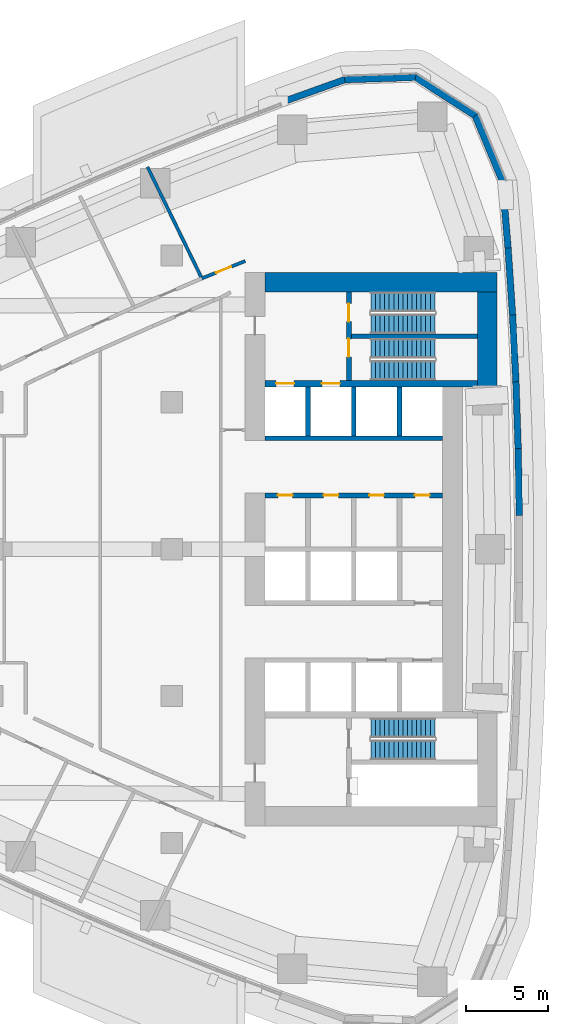
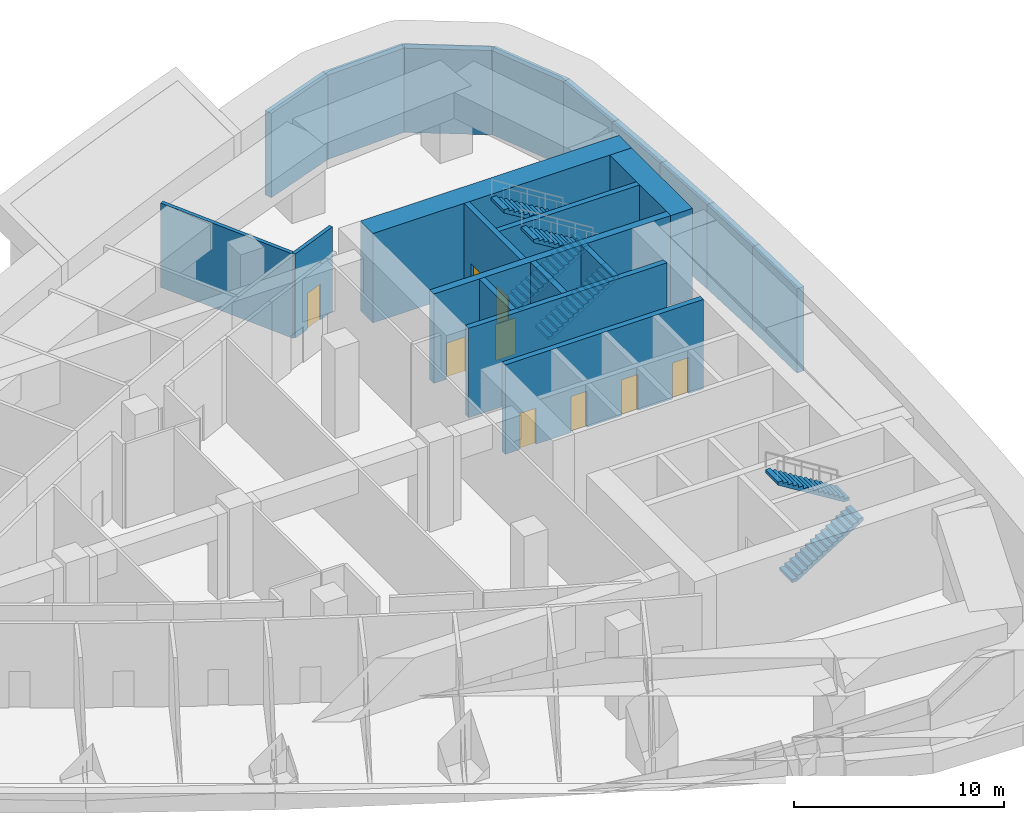
# One storey, part 12 of 17: 21 walls, 9 doors, 6 stair flights, 9 openings, 3 elements without a shape of their own.
"""IFC4 building model written with IfcOpenShell, lengths in metres."""

from ifc_helpers import new_model, si_unit, direction, frame, frame_2d, origin, place, context, subcontext, project, spatial, polyline, rectangle, outline, extrude, material, layer, layer_set, type_object, element, fill, aggregate, save


model = new_model("IFC4")

# Units and contexts
model_context = context("Model", 3, precision=1e-05, world=origin(), true_north=direction((0.0, 1.0)))
body_context = subcontext(model_context, "Body", "Model", "MODEL_VIEW")
ifc_project = project(units=[si_unit("LENGTHUNIT", "METRE"), si_unit("AREAUNIT", "SQUARE_METRE"), si_unit("VOLUMEUNIT", "CUBIC_METRE"), si_unit("PLANEANGLEUNIT", "RADIAN"), si_unit("MASSUNIT", "GRAM", prefix="KILO")], contexts=[model_context])

# Site, building, storey
site_placement = place(None, origin())
site = spatial("IfcSite", under=ifc_project, at=site_placement, CompositionType="ELEMENT")
building_placement = place(site_placement, origin())
building = spatial("IfcBuilding", under=site, at=building_placement, Name="Ostrand Prow Hotel Tower", CompositionType="ELEMENT")
storey_placement = place(building_placement, frame((0.0, 0.0, 75.10009765625)))
storey = spatial("IfcBuildingStorey", under=building, at=storey_placement, Name="L17", CompositionType="ELEMENT", Elevation=75.10009765625)

# Walls
ifc_material_1 = material(Name="Concrete C80/95", Category="concrete")
ifc_layer_1 = layer(ifc_material_1, 1.199951171875)
ifc_layer_set_1 = layer_set([ifc_layer_1], Name="Concrete C80/95")
wall_type_1 = type_object("IfcWallType", Name="Core wall 1200 C80/95", PredefinedType="SHEAR", material=ifc_layer_set_1)
wall_1_placement = place(storey_placement, frame((50.699951171875, 16.35009765625, 0.0), z_axis=(0.0, 0.0, 1.0), x_axis=(1.0, 0.0, 0.0)))
element("IfcWall", 1, at=wall_1_placement, inside=storey, type_object=wall_type_1, Name="Core wall CW-N", PredefinedType="SHEAR", context=body_context, shape_type="SweptSolid", body=[
    extrude(rectangle(XDim=14.219970703125, YDim=1.199951171875, at=frame_2d((7.10986328125, 0.0))), origin(), (0.0, 0.0, 1.0), 5.199951171875),
])
wall_2_placement = place(storey_placement, frame((64.320068359375, 9.949951171875, 0.0), z_axis=(0.0, 0.0, 1.0), x_axis=(0.0, 1.0, 0.0)))
element("IfcWall", 2, at=wall_2_placement, inside=storey, type_object=wall_type_1, Name="Core wall CW-E-N", PredefinedType="SHEAR", context=body_context, shape_type="SweptSolid", body=[
    extrude(rectangle(XDim=5.800048828125, YDim=1.199951171875, at=frame_2d((2.89990234375, 0.0))), origin(), (0.0, 0.0, 1.0), 5.199951171875),
])

# Wall, openings, doors
ifc_material_2 = material(Name="Concrete C80/95", Category="concrete")
ifc_layer_2 = layer(ifc_material_2, 0.300048828125)
ifc_layer_set_2 = layer_set([ifc_layer_2], Name="Concrete C80/95")
wall_type_2 = type_object("IfcWallType", Name="Core wall 300 C80/95", PredefinedType="SHEAR", material=ifc_layer_set_2)
wall_3_placement = place(storey_placement, frame((50.699951171875, 3.300048828125, 0.0), z_axis=(0.0, 0.0, 1.0), x_axis=(1.0, 0.0, 0.0)))
wall_3 = element("IfcWall", 3, at=wall_3_placement, inside=storey, type_object=wall_type_2, Name="Core wall PW-L1-N", PredefinedType="SHEAR", context=body_context, shape_type="SweptSolid", body=[
    extrude(rectangle(XDim=10.900146484375, YDim=0.300048828125, at=frame_2d((5.4501953125, 0.0))), origin(), (0.0, 0.0, 1.0), 5.199951171875),
])
opening_1_placement = place(wall_3_placement, frame((0.800048828125, 0.0, 0.0)))
opening_1 = element("IfcOpeningElement", 4, at=opening_1_placement, cuts=wall_3, Name="Opening FD2", PredefinedType="OPENING", context=body_context, shape_type="SweptSolid", body=[
    extrude(rectangle(XDim=0.89990234375, YDim=2.10009765625, at=frame_2d((0.449951171875, 1.050048828125))), frame((0.0, 0.159912109375, 0.0), z_axis=(0.0, -1.0, 0.0), x_axis=(1.0, 0.0, 0.0)), (0.0, 0.0, 1.0), 0.320068359375),
])
opening_2_placement = place(wall_3_placement, frame((3.60009765625, 0.0, 0.0)))
opening_2 = element("IfcOpeningElement", 5, at=opening_2_placement, cuts=wall_3, Name="Opening FD2", PredefinedType="OPENING", context=body_context, shape_type="SweptSolid", body=[
    extrude(rectangle(XDim=0.89990234375, YDim=2.10009765625, at=frame_2d((0.449951171875, 1.050048828125))), frame((0.0, 0.159912109375, 0.0), z_axis=(0.0, -1.0, 0.0), x_axis=(1.0, 0.0, 0.0)), (0.0, 0.0, 1.0), 0.320068359375),
])
opening_3_placement = place(wall_3_placement, frame((6.39990234375, 0.0, 0.0)))
opening_3 = element("IfcOpeningElement", 6, at=opening_3_placement, cuts=wall_3, Name="Opening FD2", PredefinedType="OPENING", context=body_context, shape_type="SweptSolid", body=[
    extrude(rectangle(XDim=0.89990234375, YDim=2.10009765625, at=frame_2d((0.449951171875, 1.050048828125))), frame((0.0, 0.159912109375, 0.0), z_axis=(0.0, -1.0, 0.0), x_axis=(1.0, 0.0, 0.0)), (0.0, 0.0, 1.0), 0.320068359375),
])
opening_4_placement = place(wall_3_placement, frame((9.199951171875, 0.0, 0.0)))
opening_4 = element("IfcOpeningElement", 7, at=opening_4_placement, cuts=wall_3, Name="Opening FD2", PredefinedType="OPENING", context=body_context, shape_type="SweptSolid", body=[
    extrude(rectangle(XDim=0.89990234375, YDim=2.10009765625, at=frame_2d((0.449951171875, 1.050048828125))), frame((0.0, 0.159912109375, 0.0), z_axis=(0.0, -1.0, 0.0), x_axis=(1.0, 0.0, 0.0)), (0.0, 0.0, 1.0), 0.320068359375),
])
ifc_material_3 = material(Name="Steel fire door", Category="steel")
door_type_1 = type_object("IfcDoorType", Name="Fire door 900 EI120", OperationType="SINGLE_SWING_LEFT", PredefinedType="DOOR", material=ifc_material_3)
door_1_placement = place(opening_1_placement, origin())
door_1 = element("IfcDoor", 8, at=door_1_placement, inside=storey, type_object=door_type_1, Name="DOOR", OperationType="SINGLE_SWING_LEFT", OverallHeight=2.10009765625, OverallWidth=0.89990234375, PredefinedType="DOOR", context=body_context, shape_type="SweptSolid", body=[
    extrude(rectangle(XDim=0.89990234375, YDim=2.10009765625, at=frame_2d((0.449951171875, 1.050048828125))), frame((0.0, 0.02490234375, 0.0), z_axis=(0.0, -1.0, 0.0), x_axis=(1.0, 0.0, 0.0)), (0.0, 0.0, 1.0), 0.050048828125),
])
fill(opening_1, door_1)
door_2_placement = place(opening_2_placement, origin())
door_2 = element("IfcDoor", 9, at=door_2_placement, inside=storey, type_object=door_type_1, Name="DOOR", OperationType="SINGLE_SWING_LEFT", OverallHeight=2.10009765625, OverallWidth=0.89990234375, PredefinedType="DOOR", context=body_context, shape_type="SweptSolid", body=[
    extrude(rectangle(XDim=0.89990234375, YDim=2.10009765625, at=frame_2d((0.449951171875, 1.050048828125))), frame((0.0, 0.02490234375, 0.0), z_axis=(0.0, -1.0, 0.0), x_axis=(1.0, 0.0, 0.0)), (0.0, 0.0, 1.0), 0.050048828125),
])
fill(opening_2, door_2)
door_3_placement = place(opening_3_placement, origin())
door_3 = element("IfcDoor", 10, at=door_3_placement, inside=storey, type_object=door_type_1, Name="DOOR", OperationType="SINGLE_SWING_LEFT", OverallHeight=2.10009765625, OverallWidth=0.89990234375, PredefinedType="DOOR", context=body_context, shape_type="SweptSolid", body=[
    extrude(rectangle(XDim=0.89990234375, YDim=2.10009765625, at=frame_2d((0.449951171875, 1.050048828125))), frame((0.0, 0.02490234375, 0.0), z_axis=(0.0, -1.0, 0.0), x_axis=(1.0, 0.0, 0.0)), (0.0, 0.0, 1.0), 0.050048828125),
])
fill(opening_3, door_3)
door_4_placement = place(opening_4_placement, origin())
door_4 = element("IfcDoor", 11, at=door_4_placement, inside=storey, type_object=door_type_1, Name="DOOR", OperationType="SINGLE_SWING_LEFT", OverallHeight=2.10009765625, OverallWidth=0.89990234375, PredefinedType="DOOR", context=body_context, shape_type="SweptSolid", body=[
    extrude(rectangle(XDim=0.89990234375, YDim=2.10009765625, at=frame_2d((0.449951171875, 1.050048828125))), frame((0.0, 0.02490234375, 0.0), z_axis=(0.0, -1.0, 0.0), x_axis=(1.0, 0.0, 0.0)), (0.0, 0.0, 1.0), 0.050048828125),
])
fill(opening_4, door_4)

# Walls
wall_4_placement = place(storey_placement, frame((50.699951171875, 6.800048828125, 0.0), z_axis=(0.0, 0.0, 1.0), x_axis=(1.0, 0.0, 0.0)))
element("IfcWall", 12, at=wall_4_placement, inside=storey, type_object=wall_type_2, Name="Core wall PW-L2-N", PredefinedType="SHEAR", context=body_context, shape_type="SweptSolid", body=[
    extrude(rectangle(XDim=10.900146484375, YDim=0.300048828125, at=frame_2d((5.4501953125, 0.0))), origin(), (0.0, 0.0, 1.0), 5.199951171875),
])
for number, where, z_axis, x_axis, name in (
    (13, (53.35009765625, 6.949951171875, 0.0), (0.0, 0.0, 1.0), (0.0, 1.0, 0.0), "Core wall PW-R1-NA"),
    (14, (56.14990234375, 6.949951171875, 0.0), (0.0, 0.0, 1.0), (0.0, 1.0, 0.0), "Core wall PW-R2-NA"),
    (15, (58.949951171875, 6.949951171875, 0.0), (0.0, 0.0, 1.0), (0.0, 1.0, 0.0), "Core wall PW-R3-NA"),
):
    element("IfcWall", number, at=place(storey_placement, frame(where, z_axis=z_axis, x_axis=x_axis)), inside=storey, type_object=wall_type_2, Name=name, PredefinedType="SHEAR", context=body_context, shape_type="SweptSolid", body=[
        extrude(rectangle(XDim=3.0, YDim=0.300048828125, at=frame_2d((1.5, 0.0))), origin(), (0.0, 0.0, 1.0), 5.199951171875),
    ])

# Wall, openings, doors
wall_5_placement = place(storey_placement, frame((55.85009765625, 10.35009765625, 0.0), z_axis=(0.0, 0.0, 1.0), x_axis=(0.0, 1.0, 0.0)))
wall_5 = element("IfcWall", 16, at=wall_5_placement, inside=storey, type_object=wall_type_2, Name="Core wall PW-VN", PredefinedType="SHEAR", context=body_context, shape_type="SweptSolid", body=[
    extrude(rectangle(XDim=5.39990234375, YDim=0.300048828125, at=frame_2d((2.699951171875, 0.0))), origin(), (0.0, 0.0, 1.0), 5.199951171875),
])
opening_5_placement = place(wall_5_placement, frame((1.429931640625, 0.0, 0.0)))
opening_5 = element("IfcOpeningElement", 17, at=opening_5_placement, cuts=wall_5, Name="Opening FD1", PredefinedType="OPENING", context=body_context, shape_type="SweptSolid", body=[
    extrude(rectangle(XDim=1.10009765625, YDim=2.10009765625, at=frame_2d((0.550048828125, 1.050048828125))), frame((0.0, 0.159912109375, 0.0), z_axis=(0.0, -1.0, 0.0), x_axis=(1.0, 0.0, 0.0)), (0.0, 0.0, 1.0), 0.320068359375),
])
opening_6_placement = place(wall_5_placement, frame((3.60009765625, 0.0, 0.0)))
opening_6 = element("IfcOpeningElement", 18, at=opening_6_placement, cuts=wall_5, Name="Opening FD1", PredefinedType="OPENING", context=body_context, shape_type="SweptSolid", body=[
    extrude(rectangle(XDim=1.10009765625, YDim=2.10009765625, at=frame_2d((0.550048828125, 1.050048828125))), frame((0.0, 0.159912109375, 0.0), z_axis=(0.0, -1.0, 0.0), x_axis=(1.0, 0.0, 0.0)), (0.0, 0.0, 1.0), 0.320068359375),
])
ifc_material_4 = material(Name="Steel fire door", Category="steel")
door_type_2 = type_object("IfcDoorType", Name="Fire door 1100 EI120", OperationType="SINGLE_SWING_RIGHT", PredefinedType="DOOR", material=ifc_material_4)
door_5_placement = place(opening_5_placement, origin())
door_5 = element("IfcDoor", 19, at=door_5_placement, inside=storey, type_object=door_type_2, Name="FIRE DOOR", OperationType="SINGLE_SWING_RIGHT", OverallHeight=2.10009765625, OverallWidth=1.10009765625, PredefinedType="DOOR", context=body_context, shape_type="SweptSolid", body=[
    extrude(rectangle(XDim=1.10009765625, YDim=2.10009765625, at=frame_2d((0.550048828125, 1.050048828125))), frame((0.0, 0.02490234375, 0.0), z_axis=(0.0, -1.0, 0.0), x_axis=(1.0, 0.0, 0.0)), (0.0, 0.0, 1.0), 0.050048828125),
])
fill(opening_5, door_5)
door_6_placement = place(opening_6_placement, origin())
door_6 = element("IfcDoor", 20, at=door_6_placement, inside=storey, type_object=door_type_2, Name="FIRE DOOR", OperationType="SINGLE_SWING_RIGHT", OverallHeight=2.10009765625, OverallWidth=1.10009765625, PredefinedType="DOOR", context=body_context, shape_type="SweptSolid", body=[
    extrude(rectangle(XDim=1.10009765625, YDim=2.10009765625, at=frame_2d((0.550048828125, 1.050048828125))), frame((0.0, 0.02490234375, 0.0), z_axis=(0.0, -1.0, 0.0), x_axis=(1.0, 0.0, 0.0)), (0.0, 0.0, 1.0), 0.050048828125),
])
fill(opening_6, door_6)

# Wall
wall_6_placement = place(storey_placement, frame((56.0, 13.050048828125, 0.0), z_axis=(0.0, 0.0, 1.0), x_axis=(1.0, 0.0, 0.0)))
element("IfcWall", 21, at=wall_6_placement, inside=storey, type_object=wall_type_2, Name="Core wall PW-ST13", PredefinedType="SHEAR", context=body_context, shape_type="SweptSolid", body=[
    extrude(rectangle(XDim=7.719970703125, YDim=0.300048828125, at=frame_2d((3.85986328125, 0.0))), origin(), (0.0, 0.0, 1.0), 5.199951171875),
])

# Wall, openings, doors
ifc_material_5 = material(Name="Concrete C80/95", Category="concrete")
ifc_layer_3 = layer(ifc_material_5, 0.39990234375)
ifc_layer_set_3 = layer_set([ifc_layer_3], Name="Concrete C80/95")
wall_type_3 = type_object("IfcWallType", Name="Core wall 400 C80/95", PredefinedType="SHEAR", material=ifc_layer_set_3)
wall_7_placement = place(storey_placement, frame((50.699951171875, 10.14990234375, 0.0), z_axis=(0.0, 0.0, 1.0), x_axis=(1.0, 0.0, 0.0)))
wall_7 = element("IfcWall", 22, at=wall_7_placement, inside=storey, type_object=wall_type_3, Name="Core wall PW-BN", PredefinedType="SHEAR", context=body_context, shape_type="SweptSolid", body=[
    extrude(rectangle(XDim=13.02001953125, YDim=0.39990234375, at=frame_2d((6.510009765625, 0.0))), origin(), (0.0, 0.0, 1.0), 5.199951171875),
])
opening_7_placement = place(wall_7_placement, frame((0.699951171875, 0.0, 0.0)))
opening_7 = element("IfcOpeningElement", 23, at=opening_7_placement, cuts=wall_7, Name="Opening LD", PredefinedType="OPENING", context=body_context, shape_type="SweptSolid", body=[
    extrude(rectangle(XDim=1.10009765625, YDim=2.10009765625, at=frame_2d((0.550048828125, 1.050048828125))), frame((0.0, 0.2099609375, 0.0), z_axis=(0.0, -1.0, 0.0), x_axis=(1.0, 0.0, 0.0)), (0.0, 0.0, 1.0), 0.419921875),
])
opening_8_placement = place(wall_7_placement, frame((3.5, 0.0, 0.0)))
opening_8 = element("IfcOpeningElement", 24, at=opening_8_placement, cuts=wall_7, Name="Opening LD", PredefinedType="OPENING", context=body_context, shape_type="SweptSolid", body=[
    extrude(rectangle(XDim=1.10009765625, YDim=2.10009765625, at=frame_2d((0.550048828125, 1.050048828125))), frame((0.0, 0.2099609375, 0.0), z_axis=(0.0, -1.0, 0.0), x_axis=(1.0, 0.0, 0.0)), (0.0, 0.0, 1.0), 0.419921875),
])
ifc_material_6 = material(Name="Stainless steel door", Category="steel")
door_type_3 = type_object("IfcDoorType", Name="Lift landing door 1100", OperationType="DOUBLE_DOOR_SLIDING", PredefinedType="DOOR", material=ifc_material_6)
door_7_placement = place(opening_7_placement, origin())
door_7 = element("IfcDoor", 25, at=door_7_placement, inside=storey, type_object=door_type_3, Name="LIFT LANDING DOOR", OperationType="DOUBLE_DOOR_SLIDING", OverallHeight=2.10009765625, OverallWidth=1.10009765625, PredefinedType="DOOR", context=body_context, shape_type="SweptSolid", body=[
    extrude(rectangle(XDim=1.10009765625, YDim=2.10009765625, at=frame_2d((0.550048828125, 1.050048828125))), frame((0.0, 0.02490234375, 0.0), z_axis=(0.0, -1.0, 0.0), x_axis=(1.0, 0.0, 0.0)), (0.0, 0.0, 1.0), 0.050048828125),
])
fill(opening_7, door_7)
door_8_placement = place(opening_8_placement, origin())
door_8 = element("IfcDoor", 26, at=door_8_placement, inside=storey, type_object=door_type_3, Name="LIFT LANDING DOOR", OperationType="DOUBLE_DOOR_SLIDING", OverallHeight=2.10009765625, OverallWidth=1.10009765625, PredefinedType="DOOR", context=body_context, shape_type="SweptSolid", body=[
    extrude(rectangle(XDim=1.10009765625, YDim=2.10009765625, at=frame_2d((0.550048828125, 1.050048828125))), frame((0.0, 0.02490234375, 0.0), z_axis=(0.0, -1.0, 0.0), x_axis=(1.0, 0.0, 0.0)), (0.0, 0.0, 1.0), 0.050048828125),
])
fill(opening_8, door_8)

# Wall, opening, door
ifc_material_7 = material(Name="Plasterboard partition")
ifc_layer_4 = layer(ifc_material_7, 0.199951171875)
ifc_layer_set_4 = layer_set([ifc_layer_4], Name="Plasterboard partition")
wall_type_4 = type_object("IfcWallType", Name="Partition 200 corridor wall", PredefinedType="PARTITIONING", material=ifc_layer_set_4)
wall_8_placement = place(storey_placement, frame((49.5, 17.65771484375, 0.0), z_axis=(0.0, 0.0, 1.0), x_axis=(-0.927958213078, -0.372684256148, 0.0)))
wall_8 = element("IfcWall", 27, at=wall_8_placement, inside=storey, type_object=wall_type_4, Name="CORRIDOR WALL", PredefinedType="PARTITIONING", context=body_context, shape_type="SweptSolid", body=[
    extrude(rectangle(XDim=2.86279296875, YDim=0.199951171875, at=frame_2d((1.431396484375, 0.0))), origin(), (0.0, 0.0, 1.0), 4.89990234375),
])
opening_9_placement = place(wall_8_placement, frame((0.931396484375, 0.0, 0.0)))
opening_9 = element("IfcOpeningElement", 28, at=opening_9_placement, cuts=wall_8, Name="Opening D1R", PredefinedType="OPENING", context=body_context, shape_type="SweptSolid", body=[
    extrude(rectangle(XDim=1.0, YDim=2.10009765625, at=frame_2d((0.5, 1.050048828125))), frame((0.0, 0.10986328125, 0.0), z_axis=(0.0, -1.0, 0.0), x_axis=(1.0, 0.0, 0.0)), (0.0, 0.0, 1.0), 0.219970703125),
])
ifc_material_8 = material(Name="Timber door leaf", Category="wood")
door_type_4 = type_object("IfcDoorType", Name="Guest room door 1000 right", OperationType="SINGLE_SWING_RIGHT", PredefinedType="DOOR", material=ifc_material_8)
door_9_placement = place(opening_9_placement, origin())
door_9 = element("IfcDoor", 29, at=door_9_placement, inside=storey, type_object=door_type_4, Name="DOOR", OperationType="SINGLE_SWING_RIGHT", OverallHeight=2.10009765625, OverallWidth=1.0, PredefinedType="DOOR", context=body_context, shape_type="SweptSolid", body=[
    extrude(rectangle(XDim=1.0, YDim=2.10009765625, at=frame_2d((0.5, 1.050048828125))), frame((0.0, 0.02490234375, 0.0), z_axis=(0.0, -1.0, 0.0), x_axis=(1.0, 0.0, 0.0)), (0.0, 0.0, 1.0), 0.050048828125),
])
fill(opening_9, door_9)

# Walls
ifc_material_9 = material(Name="Plasterboard partition")
ifc_layer_5 = layer(ifc_material_9, 0.199951171875)
ifc_layer_set_5 = layer_set([ifc_layer_5], Name="Plasterboard partition")
wall_type_5 = type_object("IfcWallType", Name="Partition 200 key partition", PredefinedType="PARTITIONING", material=ifc_layer_set_5)
wall_9_placement = place(storey_placement, frame((46.85205078125, 16.57275390625, 0.0), z_axis=(0.0, 0.0, 1.0), x_axis=(-0.438196739796, 0.898879089328, 0.0)))
element("IfcWall", 30, at=wall_9_placement, inside=storey, type_object=wall_type_5, Name="KEY PARTITION", PredefinedType="PARTITIONING", context=body_context, shape_type="SweptSolid", body=[
    extrude(rectangle(XDim=7.611083984375, YDim=0.199951171875, at=frame_2d((3.8056640625, 0.0))), origin(), (0.0, 0.0, 1.0), 4.89990234375),
])
ifc_material_10 = material(Name="Precast concrete C40/50", Category="concrete")
ifc_layer_6 = layer(ifc_material_10, 0.39990234375)
ifc_layer_set_6 = layer_set([ifc_layer_6], Name="Precast concrete C40/50")
wall_type_6 = type_object("IfcWallType", Name="Stone-faced precast wall 400 mm", PredefinedType="NOTDEFINED", material=ifc_layer_set_6)
for number, where, z_axis, x_axis, name in (
    (31, (66.29150390625, 2.052490234375, 0.0), (0.0, 0.0, 1.0), (-0.016830829972, 0.999858351549, 0.0), "Stone-faced wall back 11"),
    (32, (66.222412109375, 6.156982421875, 0.0), (0.0, 0.0, 1.0), (-0.033542554696, 0.999437290191, 0.0), "Stone-faced wall back 12"),
    (33, (66.084716796875, 10.259765625, 0.0), (0.0, 0.0, 1.0), (-0.050314326423, 0.998733432181, 0.0), "Stone-faced wall back 13"),
    (34, (65.878173828125, 14.359619140625, 0.0), (0.0, 0.0, 1.0), (-0.067087430225, 0.997747100575, 0.0), "Stone-faced wall back 14"),
):
    element("IfcWall", number, at=place(storey_placement, frame(where, z_axis=z_axis, x_axis=x_axis)), inside=storey, type_object=wall_type_6, Name=name, PredefinedType="NOTDEFINED", context=body_context, shape_type="SweptSolid", body=[
        extrude(outline(polyline([(-0.001708984375, -0.199951171875), (4.106689453125, -0.199951171875), (4.103271484375, 0.199951171875), (0.001708984375, 0.199951171875), (-0.001708984375, -0.199951171875)])), origin(), (0.0, 0.0, 1.0), 4.89990234375),
    ])
wall_10_placement = place(storey_placement, frame((65.602783203125, 18.455322265625, 0.0), z_axis=(0.0, 0.0, 1.0), x_axis=(-0.083793550906, 0.996483136248, 0.0)))
element("IfcWall", 35, at=wall_10_placement, inside=storey, type_object=wall_type_6, Name="Stone-faced wall back 15", PredefinedType="NOTDEFINED", context=body_context, shape_type="SweptSolid", body=[
    extrude(outline(polyline([(-0.001708984375, -0.199951171875), (4.136474609375, -0.199951171875), (4.073974609375, 0.199951171875), (0.001708984375, 0.199951171875), (-0.001708984375, -0.199951171875)])), origin(), (0.0, 0.0, 1.0), 4.89990234375),
])
wall_11_placement = place(storey_placement, frame((65.2587890625, 22.546142578125, 0.0), z_axis=(0.0, 0.0, 1.0), x_axis=(-0.384372042685, 0.923178277908, 0.0)))
element("IfcWall", 36, at=wall_11_placement, inside=storey, type_object=wall_type_6, Name="Stone-faced wall back 16", PredefinedType="NOTDEFINED", context=body_context, shape_type="SweptSolid", body=[
    extrude(outline(polyline([(-0.03125, -0.199951171875), (4.408203125, -0.199951171875), (4.283203125, 0.199951171875), (0.03125, 0.199951171875), (-0.03125, -0.199951171875)])), origin(), (0.0, 0.0, 1.0), 4.89990234375),
])
wall_12_placement = place(storey_placement, frame((63.58837890625, 26.55810546875, 0.0), z_axis=(0.0, 0.0, 1.0), x_axis=(-0.840937468718, 0.541132307025, 0.0)))
element("IfcWall", 37, at=wall_12_placement, inside=storey, type_object=wall_type_6, Name="Stone-faced wall back 17", PredefinedType="NOTDEFINED", context=body_context, shape_type="SweptSolid", body=[
    extrude(outline(polyline([(-0.0625, -0.199951171875), (4.40869140625, -0.199951171875), (4.28369140625, 0.199951171875), (0.0625, 0.199951171875), (-0.0625, -0.199951171875)])), origin(), (0.0, 0.0, 1.0), 4.89990234375),
])
wall_13_placement = place(storey_placement, frame((59.93359375, 28.909912109375, 0.0), z_axis=(0.0, 0.0, 1.0), x_axis=(-0.999463576228, -0.032749958686, 0.0)))
element("IfcWall", 38, at=wall_13_placement, inside=storey, type_object=wall_type_6, Name="Stone-faced wall back 18", PredefinedType="NOTDEFINED", context=body_context, shape_type="SweptSolid", body=[
    extrude(outline(polyline([(-0.0625, -0.199951171875), (4.377685546875, -0.199951171875), (4.314697265625, 0.199951171875), (0.0625, 0.199951171875), (-0.0625, -0.199951171875)])), origin(), (0.0, 0.0, 1.0), 4.89990234375),
])
wall_14_placement = place(storey_placement, frame((55.58984375, 28.767578125, 0.0), z_axis=(0.0, 0.0, 1.0), x_axis=(-0.941339752885, -0.337460323057, 0.0)))
element("IfcWall", 39, at=wall_14_placement, inside=storey, type_object=wall_type_6, Name="Stone-faced wall back 19", PredefinedType="NOTDEFINED", context=body_context, shape_type="SweptSolid", body=[
    extrude(outline(polyline([(-0.031494140625, -0.199951171875), (4.196044921875, -0.199951171875), (4.196044921875, 0.199951171875), (0.031494140625, 0.199951171875), (-0.031494140625, -0.199951171875)])), origin(), (0.0, 0.0, 1.0), 4.89990234375),
])

# Stair, stair flights
ifc_material_11 = material(Name="Concrete C40/50", Category="concrete")
stair_type = type_object("IfcStairType", Name="Exit stair 1200 upper zone", PredefinedType="HALF_TURN_STAIR", material=ifc_material_11)
stair_1_placement = place(storey_placement, origin())
stair_1 = element("IfcStair", 40, at=stair_1_placement, inside=storey, type_object=stair_type, Name="L17 ST1C", PredefinedType="HALF_TURN_STAIR")
ifc_material_12 = material(Name="Concrete C40/50", Category="concrete")
stair_flight_type = type_object("IfcStairFlightType", Name="Stair flight 1200 concrete", PredefinedType="STRAIGHT", material=ifc_material_12)
stair_flight_1_placement = place(storey_placement, frame((57.199951171875, 10.949951171875, 0.0), z_axis=(0.0, 0.0, 1.0), x_axis=(1.0, 0.0, 0.0)))
stair_flight_1 = element("IfcStairFlight", 41, at=stair_flight_1_placement, type_object=stair_flight_type, Name="ST1C flight 1", NumberOfRisers=15, NumberOfTreads=14, PredefinedType="STRAIGHT", RiserHeight=0.173333333, TreadLength=0.28, context=body_context, shape_type="SweptSolid", body=[
    extrude(outline(polyline([(0.0, 0.0), (0.0, 0.17333984375), (0.280029296875, 0.17333984375), (0.280029296875, 0.3466796875), (0.56005859375, 0.3466796875), (0.56005859375, 0.52001953125), (0.840087890625, 0.52001953125), (0.840087890625, 0.693359375), (1.1201171875, 0.693359375), (1.1201171875, 0.86669921875), (1.39990234375, 0.86669921875), (1.39990234375, 1.0400390625), (1.679931640625, 1.0400390625), (1.679931640625, 1.21337890625), (1.9599609375, 1.21337890625), (1.9599609375, 1.38671875), (2.239990234375, 1.38671875), (2.239990234375, 1.56005859375), (2.52001953125, 1.56005859375), (2.52001953125, 1.7333984375), (2.800048828125, 1.7333984375), (2.800048828125, 1.90673828125), (3.080078125, 1.90673828125), (3.080078125, 2.080078125), (3.360107421875, 2.080078125), (3.360107421875, 2.25341796875), (3.639892578125, 2.25341796875), (3.639892578125, 2.4267578125), (3.919921875, 2.4267578125), (3.919921875, 2.60009765625), (3.919921875, 2.250244140625), (0.284912109375, 0.0), (0.0, 0.0)])), frame((0.0, 0.60009765625, 0.0), z_axis=(0.0, -1.0, 0.0), x_axis=(1.0, 0.0, 0.0)), (0.0, 0.0, 1.0), 1.199951171875),
])
stair_flight_2_placement = place(storey_placement, frame((61.1201171875, 12.300048828125, 2.599853515625), z_axis=(0.0, 0.0, 1.0), x_axis=(-1.0, 0.0, 0.0)))
stair_flight_2 = element("IfcStairFlight", 42, at=stair_flight_2_placement, type_object=stair_flight_type, Name="ST1C flight 2", NumberOfRisers=15, NumberOfTreads=14, PredefinedType="STRAIGHT", RiserHeight=0.173333333, TreadLength=0.28, context=body_context, shape_type="SweptSolid", body=[
    extrude(outline(polyline([(0.0, 0.0), (0.0, 0.17333984375), (0.280029296875, 0.17333984375), (0.280029296875, 0.3466796875), (0.56005859375, 0.3466796875), (0.56005859375, 0.52001953125), (0.840087890625, 0.52001953125), (0.840087890625, 0.693359375), (1.1201171875, 0.693359375), (1.1201171875, 0.86669921875), (1.39990234375, 0.86669921875), (1.39990234375, 1.0400390625), (1.679931640625, 1.0400390625), (1.679931640625, 1.21337890625), (1.9599609375, 1.21337890625), (1.9599609375, 1.38671875), (2.239990234375, 1.38671875), (2.239990234375, 1.56005859375), (2.52001953125, 1.56005859375), (2.52001953125, 1.7333984375), (2.800048828125, 1.7333984375), (2.800048828125, 1.90673828125), (3.080078125, 1.90673828125), (3.080078125, 2.080078125), (3.360107421875, 2.080078125), (3.360107421875, 2.25341796875), (3.639892578125, 2.25341796875), (3.639892578125, 2.4267578125), (3.919921875, 2.4267578125), (3.919921875, 2.60009765625), (3.919921875, 2.250244140625), (0.284912109375, 0.0), (0.0, 0.0)])), frame((0.0, 0.60009765625, 0.0), z_axis=(0.0, -1.0, 0.0), x_axis=(1.0, 0.0, 0.0)), (0.0, 0.0, 1.0), 1.199951171875),
])
aggregate(stair_1, [stair_flight_1, stair_flight_2])

stair_2_placement = place(storey_placement, origin())
stair_2 = element("IfcStair", 43, at=stair_2_placement, inside=storey, type_object=stair_type, Name="L17 ST3C", PredefinedType="HALF_TURN_STAIR")
stair_flight_3_placement = place(storey_placement, frame((57.199951171875, 13.800048828125, 0.0), z_axis=(0.0, 0.0, 1.0), x_axis=(1.0, 0.0, 0.0)))
stair_flight_3 = element("IfcStairFlight", 44, at=stair_flight_3_placement, type_object=stair_flight_type, Name="ST3C flight 1", NumberOfRisers=15, NumberOfTreads=14, PredefinedType="STRAIGHT", RiserHeight=0.173333333, TreadLength=0.28, context=body_context, shape_type="SweptSolid", body=[
    extrude(outline(polyline([(0.0, 0.0), (0.0, 0.17333984375), (0.280029296875, 0.17333984375), (0.280029296875, 0.3466796875), (0.56005859375, 0.3466796875), (0.56005859375, 0.52001953125), (0.840087890625, 0.52001953125), (0.840087890625, 0.693359375), (1.1201171875, 0.693359375), (1.1201171875, 0.86669921875), (1.39990234375, 0.86669921875), (1.39990234375, 1.0400390625), (1.679931640625, 1.0400390625), (1.679931640625, 1.21337890625), (1.9599609375, 1.21337890625), (1.9599609375, 1.38671875), (2.239990234375, 1.38671875), (2.239990234375, 1.56005859375), (2.52001953125, 1.56005859375), (2.52001953125, 1.7333984375), (2.800048828125, 1.7333984375), (2.800048828125, 1.90673828125), (3.080078125, 1.90673828125), (3.080078125, 2.080078125), (3.360107421875, 2.080078125), (3.360107421875, 2.25341796875), (3.639892578125, 2.25341796875), (3.639892578125, 2.4267578125), (3.919921875, 2.4267578125), (3.919921875, 2.60009765625), (3.919921875, 2.250244140625), (0.284912109375, 0.0), (0.0, 0.0)])), frame((0.0, 0.60009765625, 0.0), z_axis=(0.0, -1.0, 0.0), x_axis=(1.0, 0.0, 0.0)), (0.0, 0.0, 1.0), 1.199951171875),
])
stair_flight_4_placement = place(storey_placement, frame((61.1201171875, 15.14990234375, 2.599853515625), z_axis=(0.0, 0.0, 1.0), x_axis=(-1.0, 0.0, 0.0)))
stair_flight_4 = element("IfcStairFlight", 45, at=stair_flight_4_placement, type_object=stair_flight_type, Name="ST3C flight 2", NumberOfRisers=15, NumberOfTreads=14, PredefinedType="STRAIGHT", RiserHeight=0.173333333, TreadLength=0.28, context=body_context, shape_type="SweptSolid", body=[
    extrude(outline(polyline([(0.0, 0.0), (0.0, 0.17333984375), (0.280029296875, 0.17333984375), (0.280029296875, 0.3466796875), (0.56005859375, 0.3466796875), (0.56005859375, 0.52001953125), (0.840087890625, 0.52001953125), (0.840087890625, 0.693359375), (1.1201171875, 0.693359375), (1.1201171875, 0.86669921875), (1.39990234375, 0.86669921875), (1.39990234375, 1.0400390625), (1.679931640625, 1.0400390625), (1.679931640625, 1.21337890625), (1.9599609375, 1.21337890625), (1.9599609375, 1.38671875), (2.239990234375, 1.38671875), (2.239990234375, 1.56005859375), (2.52001953125, 1.56005859375), (2.52001953125, 1.7333984375), (2.800048828125, 1.7333984375), (2.800048828125, 1.90673828125), (3.080078125, 1.90673828125), (3.080078125, 2.080078125), (3.360107421875, 2.080078125), (3.360107421875, 2.25341796875), (3.639892578125, 2.25341796875), (3.639892578125, 2.4267578125), (3.919921875, 2.4267578125), (3.919921875, 2.60009765625), (3.919921875, 2.250244140625), (0.284912109375, 0.0), (0.0, 0.0)])), frame((0.0, 0.60009765625, 0.0), z_axis=(0.0, -1.0, 0.0), x_axis=(1.0, 0.0, 0.0)), (0.0, 0.0, 1.0), 1.199951171875),
])
aggregate(stair_2, [stair_flight_3, stair_flight_4])

stair_3_placement = place(storey_placement, origin())
stair_3 = element("IfcStair", 46, at=stair_3_placement, inside=storey, type_object=stair_type, Name="L17 ST2C", PredefinedType="HALF_TURN_STAIR")
stair_flight_5_placement = place(storey_placement, frame((57.199951171875, -12.300048828125, 0.0), z_axis=(0.0, 0.0, 1.0), x_axis=(1.0, 0.0, 0.0)))
stair_flight_5 = element("IfcStairFlight", 47, at=stair_flight_5_placement, type_object=stair_flight_type, Name="ST2C flight 1", NumberOfRisers=15, NumberOfTreads=14, PredefinedType="STRAIGHT", RiserHeight=0.173333333, TreadLength=0.28, context=body_context, shape_type="SweptSolid", body=[
    extrude(outline(polyline([(0.0, 0.0), (0.0, 0.17333984375), (0.280029296875, 0.17333984375), (0.280029296875, 0.3466796875), (0.56005859375, 0.3466796875), (0.56005859375, 0.52001953125), (0.840087890625, 0.52001953125), (0.840087890625, 0.693359375), (1.1201171875, 0.693359375), (1.1201171875, 0.86669921875), (1.39990234375, 0.86669921875), (1.39990234375, 1.0400390625), (1.679931640625, 1.0400390625), (1.679931640625, 1.21337890625), (1.9599609375, 1.21337890625), (1.9599609375, 1.38671875), (2.239990234375, 1.38671875), (2.239990234375, 1.56005859375), (2.52001953125, 1.56005859375), (2.52001953125, 1.7333984375), (2.800048828125, 1.7333984375), (2.800048828125, 1.90673828125), (3.080078125, 1.90673828125), (3.080078125, 2.080078125), (3.360107421875, 2.080078125), (3.360107421875, 2.25341796875), (3.639892578125, 2.25341796875), (3.639892578125, 2.4267578125), (3.919921875, 2.4267578125), (3.919921875, 2.60009765625), (3.919921875, 2.250244140625), (0.284912109375, 0.0), (0.0, 0.0)])), frame((0.0, 0.60009765625, 0.0), z_axis=(0.0, -1.0, 0.0), x_axis=(1.0, 0.0, 0.0)), (0.0, 0.0, 1.0), 1.199951171875),
])
stair_flight_6_placement = place(storey_placement, frame((61.1201171875, -10.949951171875, 2.599853515625), z_axis=(0.0, 0.0, 1.0), x_axis=(-1.0, 0.0, 0.0)))
stair_flight_6 = element("IfcStairFlight", 48, at=stair_flight_6_placement, type_object=stair_flight_type, Name="ST2C flight 2", NumberOfRisers=15, NumberOfTreads=14, PredefinedType="STRAIGHT", RiserHeight=0.173333333, TreadLength=0.28, context=body_context, shape_type="SweptSolid", body=[
    extrude(outline(polyline([(0.0, 0.0), (0.0, 0.17333984375), (0.280029296875, 0.17333984375), (0.280029296875, 0.3466796875), (0.56005859375, 0.3466796875), (0.56005859375, 0.52001953125), (0.840087890625, 0.52001953125), (0.840087890625, 0.693359375), (1.1201171875, 0.693359375), (1.1201171875, 0.86669921875), (1.39990234375, 0.86669921875), (1.39990234375, 1.0400390625), (1.679931640625, 1.0400390625), (1.679931640625, 1.21337890625), (1.9599609375, 1.21337890625), (1.9599609375, 1.38671875), (2.239990234375, 1.38671875), (2.239990234375, 1.56005859375), (2.52001953125, 1.56005859375), (2.52001953125, 1.7333984375), (2.800048828125, 1.7333984375), (2.800048828125, 1.90673828125), (3.080078125, 1.90673828125), (3.080078125, 2.080078125), (3.360107421875, 2.080078125), (3.360107421875, 2.25341796875), (3.639892578125, 2.25341796875), (3.639892578125, 2.4267578125), (3.919921875, 2.4267578125), (3.919921875, 2.60009765625), (3.919921875, 2.250244140625), (0.284912109375, 0.0), (0.0, 0.0)])), frame((0.0, 0.60009765625, 0.0), z_axis=(0.0, -1.0, 0.0), x_axis=(1.0, 0.0, 0.0)), (0.0, 0.0, 1.0), 1.199951171875),
])
aggregate(stair_3, [stair_flight_5, stair_flight_6])

save(model, "model.ifc")
